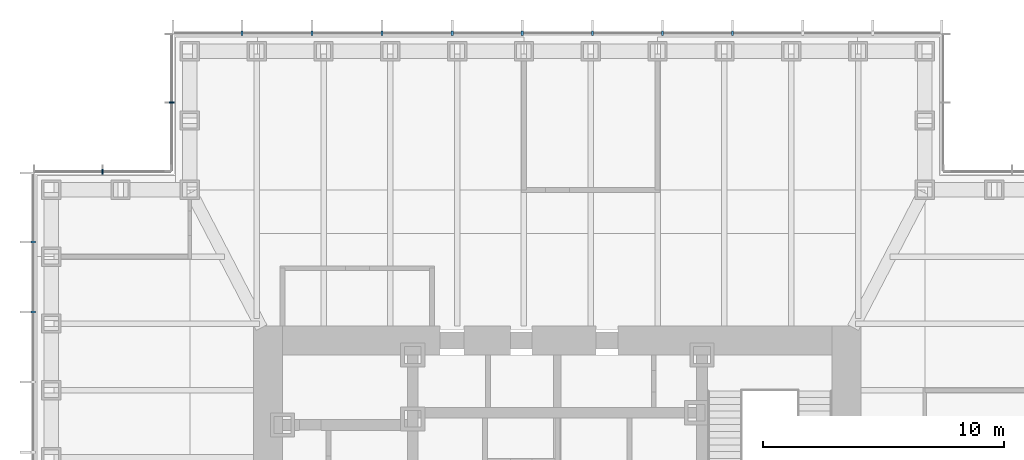
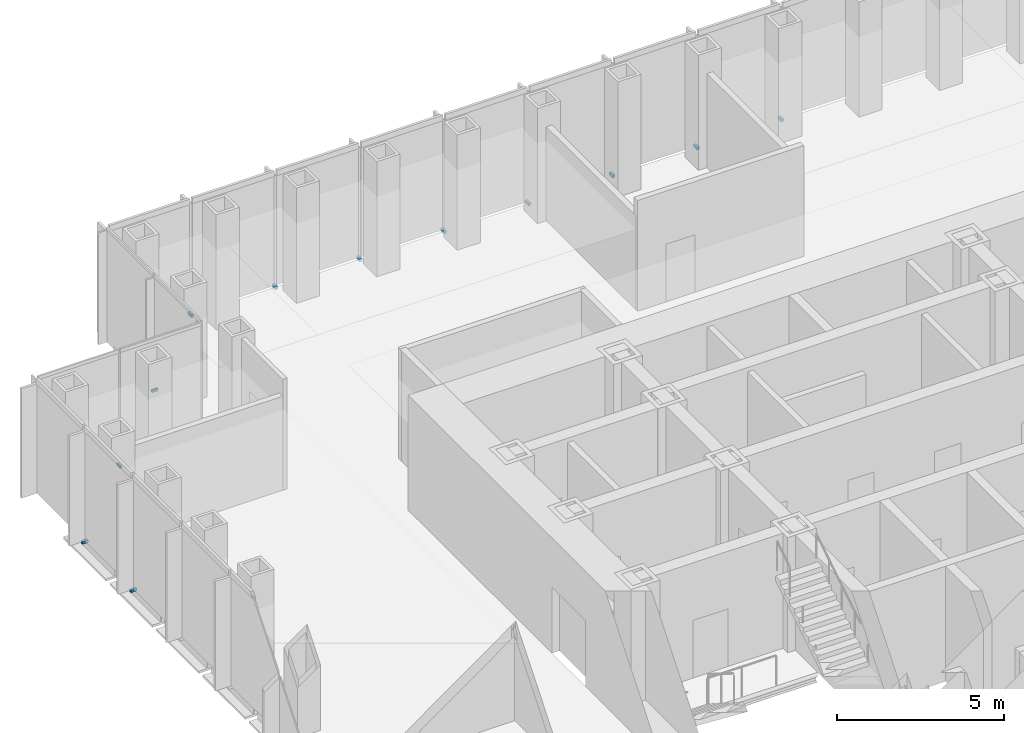
# One storey, part 14 of 16: 12 discrete accessories.
"""IFC4 building model written with IfcOpenShell, lengths in metres."""

from ifc_helpers import new_model, si_unit, direction, frame, origin, origin_2d, place, context, subcontext, project, spatial, rectangle, extrude, element, save


model = new_model("IFC4")

# Units and contexts
model_context = context("Model", 3, precision=1e-05, world=origin(), true_north=direction((0.0, 1.0)))
body_context = subcontext(model_context, "Body", "Model", "MODEL_VIEW")
ifc_project = project(units=[si_unit("LENGTHUNIT", "METRE"), si_unit("AREAUNIT", "SQUARE_METRE"), si_unit("VOLUMEUNIT", "CUBIC_METRE"), si_unit("PLANEANGLEUNIT", "RADIAN"), si_unit("MASSUNIT", "GRAM", prefix="KILO")], contexts=[model_context])

# Site, building, storey
site_placement = place(None, origin())
site = spatial("IfcSite", under=ifc_project, at=site_placement, CompositionType="ELEMENT")
building_placement = place(site_placement, origin())
building = spatial("IfcBuilding", under=site, at=building_placement, Name="Daluyong Arena Tower", CompositionType="ELEMENT")
storey_placement = place(building_placement, frame((0.0, 0.0, 271.300048828125)))
storey = spatial("IfcBuildingStorey", under=building, at=storey_placement, Name="L61", CompositionType="ELEMENT", Elevation=271.300048828125)

# Discrete accessories
for number, where, z_axis, x_axis, name in (
    (1, (63.272705078125, 101.75, -0.10009765625), (0.0, 0.0, 1.0), (-1.0, 0.0, 0.0), "curtain wall L61 N anchor bracket 4"),
    (2, (60.363525390625, 101.75, -0.10009765625), (0.0, 0.0, 1.0), (-1.0, 0.0, 0.0), "curtain wall L61 N anchor bracket 5"),
    (3, (57.45458984375, 101.75, -0.10009765625), (0.0, 0.0, 1.0), (-1.0, 0.0, 0.0), "curtain wall L61 N anchor bracket 6"),
    (4, (54.54541015625, 101.75, -0.10009765625), (0.0, 0.0, 1.0), (-1.0, 0.0, 0.0), "curtain wall L61 N anchor bracket 7"),
    (5, (51.636474609375, 101.75, -0.10009765625), (0.0, 0.0, 1.0), (-1.0, 0.0, 0.0), "curtain wall L61 N anchor bracket 8"),
    (6, (48.727294921875, 101.75, -0.10009765625), (0.0, 0.0, 1.0), (-1.0, 0.0, 0.0), "curtain wall L61 N anchor bracket 9"),
    (7, (45.818115234375, 101.75, -0.10009765625), (0.0, 0.0, 1.0), (-1.0, 0.0, 0.0), "curtain wall L61 N anchor bracket 10"),
    (8, (42.9091796875, 101.75, -0.10009765625), (0.0, 0.0, 1.0), (-1.0, 0.0, 0.0), "curtain wall L61 N anchor bracket 11"),
):
    element("IfcDiscreteAccessory", number, at=place(storey_placement, frame(where, z_axis=z_axis, x_axis=x_axis)), inside=storey, Name=name, PredefinedType="BRACKET", context=body_context, shape_type="SweptSolid", body=[
        extrude(rectangle(XDim=0.090087890625, YDim=0.199951171875, at=origin_2d()), origin(), (0.0, 0.0, 1.0), 0.10009765625),
    ])
for number, where, z_axis, x_axis, name in (
    (9, (40.0, 98.875, -0.10009765625), (0.0, 0.0, 1.0), (0.0, -1.0, 0.0), "curtain wall L61 NW-W anchor bracket 2"),
    (10, (37.125, 96.0, -0.10009765625), (0.0, 0.0, 1.0), (-1.0, 0.0, 0.0), "curtain wall L61 NW-N anchor bracket 2"),
):
    element("IfcDiscreteAccessory", number, at=place(storey_placement, frame(where, z_axis=z_axis, x_axis=x_axis)), inside=storey, Name=name, PredefinedType="BRACKET", context=body_context, shape_type="SweptSolid", body=[
        extrude(rectangle(XDim=0.06005859375, YDim=0.199951171875, at=origin_2d()), origin(), (0.0, 0.0, 1.0), 0.10009765625),
    ])
for number, where, z_axis, x_axis, name in (
    (11, (34.25, 93.0908203125, -0.10009765625), (0.0, 0.0, 1.0), (0.0, -1.0, 0.0), "curtain wall L61 W anchor bracket 2"),
    (12, (34.25, 90.181884765625, -0.10009765625), (0.0, 0.0, 1.0), (0.0, -1.0, 0.0), "curtain wall L61 W anchor bracket 3"),
):
    element("IfcDiscreteAccessory", number, at=place(storey_placement, frame(where, z_axis=z_axis, x_axis=x_axis)), inside=storey, Name=name, PredefinedType="BRACKET", context=body_context, shape_type="SweptSolid", body=[
        extrude(rectangle(XDim=0.090087890625, YDim=0.199951171875, at=origin_2d()), origin(), (0.0, 0.0, 1.0), 0.10009765625),
    ])

save(model, "model.ifc")
